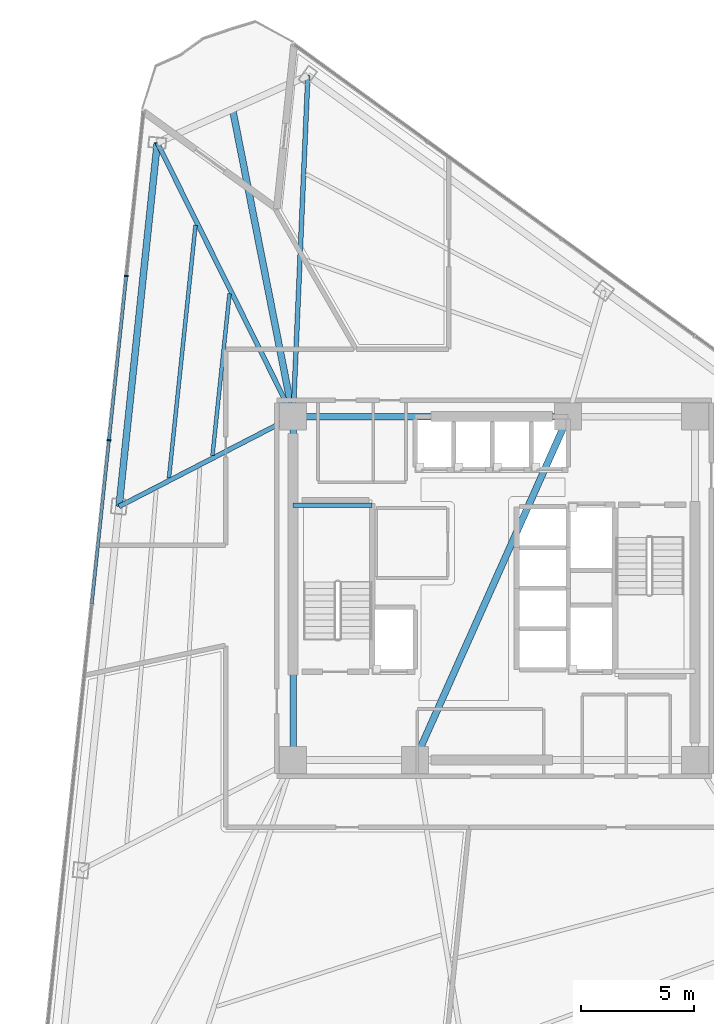
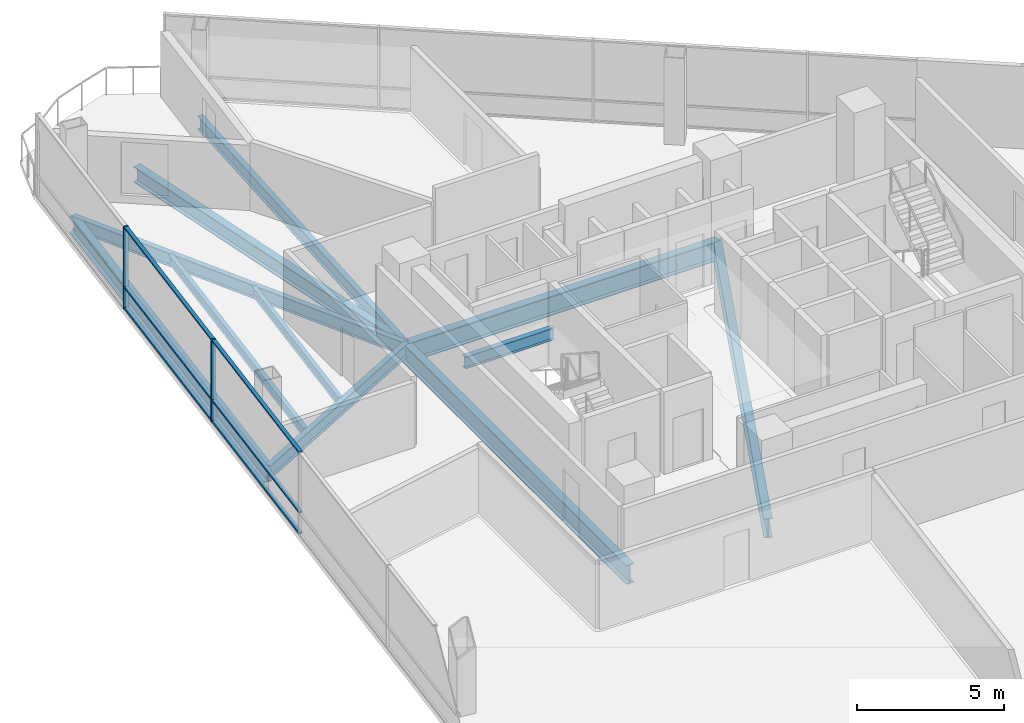
# One storey, part 7 of 16: 11 beams, 8 members, 1 element without a shape of its own.
"""IFC4 building model written with IfcOpenShell, lengths in metres."""

import ifcopenshell
import ifcopenshell.guid

model = None  # the IFC model being written
_history = None  # IfcOwnerHistory: only IFC2X3 demands one
_inside = {}  # id of a spatial element -> (the spatial element, [elements in it])
_under = {}  # id of a project, library or spatial element -> (it, [spatial elements below it])
_declared = {}  # id of a project -> (the project, [libraries it declares])
_typed = {}  # id of a type object -> (the type object, [elements of that type])
_made_of = {}  # id of a material, layer set ... -> (it, [elements and type objects made of it])


def new_model(schema):
    """Start an empty IFC model of exactly this schema.

    Asked for "IFC4X3", IfcOpenShell would pick the latest addendum, in which some entities
    have other attributes; the version numbers below select the first issue.
    IFC2X3 requires an IfcOwnerHistory on every rooted entity: one is made here for all.
    """
    global model, _history
    if schema == "IFC4X3":
        model = ifcopenshell.file(schema_version=(4, 3, 0, 0))
    else:
        model = ifcopenshell.file(schema=schema)
    _inside.clear()
    _under.clear()
    _declared.clear()
    _typed.clear()
    _made_of.clear()
    _history = None
    if model.schema == "IFC2X3":
        org = make("IfcOrganization", Name="unknown")
        user = make(
            "IfcPersonAndOrganization",
            ThePerson=make("IfcPerson", FamilyName="unknown"),
            TheOrganization=org,
        )
        app = make(
            "IfcApplication",
            ApplicationDeveloper=org,
            Version="unknown",
            ApplicationFullName="unknown",
            ApplicationIdentifier="unknown",
        )
        _history = make(
            "IfcOwnerHistory",
            OwningUser=user,
            OwningApplication=app,
            ChangeAction="ADDED",
            CreationDate=0,
        )
    return model


def make(cls, **values):
    """One entity of the class cls with the attributes given. An attribute that is None is left unset."""
    return model.create_entity(
        cls, **{name: value for name, value in values.items() if value is not None}
    )


def rooted(cls, **values):
    """An entity with a GlobalId (a new one), such as an element, a storey or a relation."""
    return make(cls, GlobalId=ifcopenshell.guid.new(), OwnerHistory=_history, **values)


def si_unit(unit_type, name, prefix=None):
    """IfcSIUnit, for example si_unit("LENGTHUNIT", "METRE", prefix="MILLI")."""
    return make("IfcSIUnit", UnitType=unit_type, Prefix=prefix, Name=name)


def assignment(units):
    """IfcUnitAssignment: the units of a project."""
    return None if units is None else make("IfcUnitAssignment", Units=units)


def point(xyz):
    """IfcCartesianPoint."""
    return None if xyz is None else make("IfcCartesianPoint", Coordinates=xyz)


def direction(xyz):
    """IfcDirection."""
    return None if xyz is None else make("IfcDirection", DirectionRatios=xyz)


def frame(location, z_axis=None, x_axis=None):
    """IfcAxis2Placement3D, a coordinate frame: its origin and axes. An axis left out is left unset."""
    return make(
        "IfcAxis2Placement3D",
        Location=point(location),
        Axis=direction(z_axis),
        RefDirection=direction(x_axis),
    )


def frame_2d(location, x_axis=None):
    """IfcAxis2Placement2D, a coordinate frame in the plane: its origin and x axis."""
    return make(
        "IfcAxis2Placement2D", Location=point(location), RefDirection=direction(x_axis)
    )


def origin():
    """The frame at (0, 0, 0) with its axes left unset."""
    return frame((0.0, 0.0, 0.0))


def origin_2d():
    """The frame at (0, 0) in the plane with its x axis left unset."""
    return frame_2d((0.0, 0.0))


def place(relative_to, where):
    """IfcLocalPlacement: puts the frame where relative to a parent placement (None: the world)."""
    return make(
        "IfcLocalPlacement", PlacementRelTo=relative_to, RelativePlacement=where
    )


def context(
    kind, dimensions, precision=None, world=None, true_north=None, identifier=None
):
    """IfcGeometricRepresentationContext, for example the 3D "Model" context."""
    return make(
        "IfcGeometricRepresentationContext",
        ContextIdentifier=identifier,
        ContextType=kind,
        CoordinateSpaceDimension=dimensions,
        Precision=precision,
        WorldCoordinateSystem=world,
        TrueNorth=true_north,
    )


def subcontext(parent, identifier, kind, view, scale=None):
    """IfcGeometricRepresentationSubContext, for example "Body" below "Model"."""
    return make(
        "IfcGeometricRepresentationSubContext",
        ContextIdentifier=identifier,
        ContextType=kind,
        ParentContext=parent,
        TargetScale=scale,
        TargetView=view,
    )


def project(units=None, contexts=None):
    """IfcProject with its units and contexts."""
    return rooted(
        "IfcProject",
        Name="project",
        RepresentationContexts=contexts,
        UnitsInContext=assignment(units),
    )


def spatial(cls, under=None, at=None, **own):
    """A site, building, storey or space (cls), placed at a placement, below another one or the project."""
    s = rooted(cls, ObjectPlacement=at, **own)
    if under is not None:
        _under.setdefault(under.id(), (under, []))[1].append(s)
    return s


def profile(cls, at=None, kind="AREA", **sizes):
    """A parametric profile (cls). Its sizes go by their IFC names, for example OverallWidth=200.0."""
    return make(cls, ProfileType=kind, Position=at, **sizes)


def rectangle(**sizes):
    """IfcRectangleProfileDef."""
    return profile("IfcRectangleProfileDef", **sizes)


def i_section(**sizes):
    """IfcIShapeProfileDef."""
    return profile("IfcIShapeProfileDef", **sizes)


def extrude(swept, where, along, depth):
    """IfcExtrudedAreaSolid: the profile swept, set in the frame where, extruded along a direction by depth."""
    return make(
        "IfcExtrudedAreaSolid",
        SweptArea=swept,
        Position=where,
        ExtrudedDirection=direction(along),
        Depth=depth,
    )


def shape(context_of_items, identifier, shape_type, items):
    """IfcShapeRepresentation: the items that make up one representation, for example the "Body"."""
    return make(
        "IfcShapeRepresentation",
        ContextOfItems=context_of_items,
        RepresentationIdentifier=identifier,
        RepresentationType=shape_type,
        Items=items,
    )


def material(Name=None, Category=None):
    """IfcMaterial."""
    return make("IfcMaterial", Name=Name, Category=Category)


def layer(
    of_material, thickness, ventilated=None, Name=None, Category=None, Priority=None
):
    """IfcMaterialLayer: one layer of a wall or slab, of a material (None: an air gap)."""
    return make(
        "IfcMaterialLayer",
        Material=of_material,
        LayerThickness=thickness,
        IsVentilated=ventilated,
        Name=Name,
        Category=Category,
        Priority=Priority,
    )


def layer_set(layers, Name=None):
    """IfcMaterialLayerSet."""
    return make("IfcMaterialLayerSet", MaterialLayers=layers, LayerSetName=Name)


def material_profile(
    of_material, cross_section, Name=None, Category=None, Priority=None
):
    """IfcMaterialProfile: a cross section and its material."""
    return make(
        "IfcMaterialProfile",
        Name=Name,
        Material=of_material,
        Profile=cross_section,
        Priority=Priority,
        Category=Category,
    )


def profile_set(profiles, Name=None, composite=None):
    """IfcMaterialProfileSet."""
    return make(
        "IfcMaterialProfileSet",
        Name=Name,
        MaterialProfiles=profiles,
        CompositeProfile=composite,
    )


def made_of(thing, what):
    """Note that an element or type object is made of a material, layer set ...; save() writes the relation."""
    if what is not None:
        _made_of.setdefault(what.id(), (what, []))[1].append(thing)
    return thing


def type_object(cls, material=None, **own):
    """A type object (cls), such as IfcWallType, which elements share."""
    return made_of(rooted(cls, **own), material)


def element(
    cls,
    number,
    at=None,
    inside=None,
    cuts=None,
    type_object=None,
    material=None,
    context=None,
    identifier="Body",
    shape_type=None,
    held_by="IfcProductDefinitionShape",
    body=None,
    shapes=None,
    **own,
):
    """One element of the class cls, such as IfcWall. Its Tag is "e" and its number.

    at: its placement. inside: the storey or other place that contains it. cuts: it is an
    opening in that element (IfcRelVoidsElement). A single representation is given by context,
    identifier, shape_type and body (its items); several are given by shapes. held_by: the class
    of the entity that holds the representations. save() writes the other relations.
    """
    e = rooted(cls, Tag="e%d" % number, ObjectPlacement=at, **own)
    if body is not None:
        shapes = [shape(context, identifier, shape_type, body)]
    if shapes is not None:
        e.Representation = make(held_by, Representations=shapes)
    if inside is not None:
        _inside.setdefault(inside.id(), (inside, []))[1].append(e)
    if cuts is not None:
        rooted(
            "IfcRelVoidsElement", RelatingBuildingElement=cuts, RelatedOpeningElement=e
        )
    if type_object is not None:
        _typed.setdefault(type_object.id(), (type_object, []))[1].append(e)
    return made_of(e, material)


def aggregate(whole, parts):
    """IfcRelAggregates: a whole, such as a stair, and the parts it consists of."""
    return rooted("IfcRelAggregates", RelatingObject=whole, RelatedObjects=parts)


def save(model, path):
    """Write the relations noted so far, then the file.

    IfcRelAggregates (storeys below a building ...), IfcRelContainedInSpatialStructure (elements
    in a storey), IfcRelDefinesByType, IfcRelAssociatesMaterial and IfcRelDeclares: one each for
    every whole, place, type object, material and project.
    """
    for whole, parts in _under.values():
        aggregate(whole, parts)
    for where, things in _inside.values():
        rooted(
            "IfcRelContainedInSpatialStructure",
            RelatedElements=things,
            RelatingStructure=where,
        )
    for kind, things in _typed.values():
        rooted("IfcRelDefinesByType", RelatedObjects=things, RelatingType=kind)
    for what, things in _made_of.values():
        rooted("IfcRelAssociatesMaterial", RelatedObjects=things, RelatingMaterial=what)
    for by, libraries in _declared.values():
        rooted("IfcRelDeclares", RelatingContext=by, RelatedDefinitions=libraries)
    model.write(path)


model = new_model("IFC4")

# Units and contexts
model_context = context("Model", 3, precision=1e-05, world=origin(), true_north=direction((0.0, 1.0)))
body_context = subcontext(model_context, "Body", "Model", "MODEL_VIEW")
ifc_project = project(units=[si_unit("LENGTHUNIT", "METRE"), si_unit("AREAUNIT", "SQUARE_METRE"), si_unit("VOLUMEUNIT", "CUBIC_METRE"), si_unit("PLANEANGLEUNIT", "RADIAN"), si_unit("MASSUNIT", "GRAM", prefix="KILO")], contexts=[model_context])

# Site, building, storey
site_placement = place(None, origin())
site = spatial("IfcSite", under=ifc_project, at=site_placement, CompositionType="ELEMENT")
building_placement = place(site_placement, origin())
building = spatial("IfcBuilding", under=site, at=building_placement, Name="Tharavind Bronze Gate", CompositionType="ELEMENT")
storey_placement = place(building_placement, frame((0.0, 0.0, 130.449951171875)))
storey = spatial("IfcBuildingStorey", under=building, at=storey_placement, Name="L33", CompositionType="ELEMENT", Elevation=130.449951171875)

# Curtain wall, members
ifc_material_1 = material(Name="Anodised Bronze Aluminium", Category="aluminium")
ifc_layer = layer(ifc_material_1, 0.219970703125)
ifc_layer_set = layer_set([ifc_layer], Name="Anodised Bronze Aluminium")
curtain_wall_type = type_object("IfcCurtainWallType", Name="UNITISED CURTAIN WALL LOWER OFFICE", PredefinedType="USERDEFINED", material=ifc_layer_set)
curtain_wall_placement = place(storey_placement, origin())
curtain_wall = element("IfcCurtainWall", 1, at=curtain_wall_placement, inside=storey, type_object=curtain_wall_type, Name="L33 unitised curtain wall lower office CW-L33-S1", ObjectType="UNITISED CURTAIN WALL", PredefinedType="USERDEFINED")
member_type_1 = type_object("IfcMemberType", Name="CURTAIN WALL BRONZE MULLION 65X180", PredefinedType="MULLION", material=ifc_material_1)
member_1_placement = place(storey_placement, frame((-16.2919921875, 13.828369140625, 0.0), z_axis=(0.0, 0.0, 1.0), x_axis=(-0.104526727499, -0.994522077803, 0.0)))
member_1 = element("IfcMember", 2, at=member_1_placement, type_object=member_type_1, Name="CW-L33-S1 mullion 2", PredefinedType="MULLION", context=body_context, shape_type="SweptSolid", body=[
    extrude(rectangle(XDim=0.06494140625, YDim=0.179931640625, at=origin_2d()), origin(), (0.0, 0.0, 1.0), 3.409912109375),
])
member_2_placement = place(storey_placement, frame((-17.056396484375, 6.55517578125, 0.0), z_axis=(0.0, 0.0, 1.0), x_axis=(-0.104526727499, -0.994522077803, 0.0)))
member_2 = element("IfcMember", 3, at=member_2_placement, type_object=member_type_1, Name="CW-L33-S1 mullion 3", PredefinedType="MULLION", context=body_context, shape_type="SweptSolid", body=[
    extrude(rectangle(XDim=0.06494140625, YDim=0.179931640625, at=origin_2d()), origin(), (0.0, 0.0, 1.0), 3.409912109375),
])
member_type_2 = type_object("IfcMemberType", Name="CURTAIN WALL BRONZE TRANSOM 65X140", PredefinedType="USERDEFINED", material=ifc_material_1)
member_3_placement = place(storey_placement, frame((-16.67431640625, 10.19189453125, 0.0), z_axis=(0.0, 0.0, 1.0), x_axis=(-0.104526727499, -0.994522077803, 0.0)))
member_3 = element("IfcMember", 4, at=member_3_placement, type_object=member_type_2, Name="CW-L33-S1 transom TB2", ObjectType="TRANSOM", PredefinedType="USERDEFINED", context=body_context, shape_type="SweptSolid", body=[
    extrude(rectangle(XDim=7.26025390625, YDim=0.139892578125, at=origin_2d()), origin(), (0.0, 0.0, 1.0), 0.06494140625),
])
member_4_placement = place(storey_placement, frame((-16.67431640625, 10.19189453125, 0.86767578125), z_axis=(0.0, 0.0, 1.0), x_axis=(-0.104526727499, -0.994522077803, 0.0)))
member_4 = element("IfcMember", 5, at=member_4_placement, type_object=member_type_2, Name="CW-L33-S1 transom TS2", ObjectType="TRANSOM", PredefinedType="USERDEFINED", context=body_context, shape_type="SweptSolid", body=[
    extrude(rectangle(XDim=7.26025390625, YDim=0.139892578125, at=origin_2d()), origin(), (0.0, 0.0, 1.0), 0.06494140625),
])
member_5_placement = place(storey_placement, frame((-16.67431640625, 10.19189453125, 3.344970703125), z_axis=(0.0, 0.0, 1.0), x_axis=(-0.104526727499, -0.994522077803, 0.0)))
member_5 = element("IfcMember", 6, at=member_5_placement, type_object=member_type_2, Name="CW-L33-S1 transom TT2", ObjectType="TRANSOM", PredefinedType="USERDEFINED", context=body_context, shape_type="SweptSolid", body=[
    extrude(rectangle(XDim=7.26025390625, YDim=0.139892578125, at=origin_2d()), origin(), (0.0, 0.0, 1.0), 0.06494140625),
])
member_6_placement = place(storey_placement, frame((-17.438720703125, 2.91845703125, 0.0), z_axis=(0.0, 0.0, 1.0), x_axis=(-0.104526727499, -0.994522077803, 0.0)))
member_6 = element("IfcMember", 7, at=member_6_placement, type_object=member_type_2, Name="CW-L33-S1 transom TB3", ObjectType="TRANSOM", PredefinedType="USERDEFINED", context=body_context, shape_type="SweptSolid", body=[
    extrude(rectangle(XDim=7.26025390625, YDim=0.139892578125, at=origin_2d()), origin(), (0.0, 0.0, 1.0), 0.06494140625),
])
member_7_placement = place(storey_placement, frame((-17.438720703125, 2.91845703125, 0.86767578125), z_axis=(0.0, 0.0, 1.0), x_axis=(-0.104526727499, -0.994522077803, 0.0)))
member_7 = element("IfcMember", 8, at=member_7_placement, type_object=member_type_2, Name="CW-L33-S1 transom TS3", ObjectType="TRANSOM", PredefinedType="USERDEFINED", context=body_context, shape_type="SweptSolid", body=[
    extrude(rectangle(XDim=7.26025390625, YDim=0.139892578125, at=origin_2d()), origin(), (0.0, 0.0, 1.0), 0.06494140625),
])
member_8_placement = place(storey_placement, frame((-17.438720703125, 2.91845703125, 3.344970703125), z_axis=(0.0, 0.0, 1.0), x_axis=(-0.104526727499, -0.994522077803, 0.0)))
member_8 = element("IfcMember", 9, at=member_8_placement, type_object=member_type_2, Name="CW-L33-S1 transom TT3", ObjectType="TRANSOM", PredefinedType="USERDEFINED", context=body_context, shape_type="SweptSolid", body=[
    extrude(rectangle(XDim=7.26025390625, YDim=0.139892578125, at=origin_2d()), origin(), (0.0, 0.0, 1.0), 0.06494140625),
])
aggregate(curtain_wall, [member_1, member_2, member_3, member_4, member_5, member_6, member_7, member_8])

# Beams
ifc_material_2 = material(Name="Steel S355", Category="steel")
ifc_material_profile_1 = material_profile(ifc_material_2, i_section(OverallWidth=0.300048828125, OverallDepth=0.64990234375, WebThickness=0.01611328125, FlangeThickness=0.031005859375, at=origin_2d()), Name="HE650B")
ifc_profile_set_1 = profile_set([ifc_material_profile_1], Name="Steel S355")
beam_type_1 = type_object("IfcBeamType", Name="PRIMARY GIRDER HE650B", PredefinedType="USERDEFINED", material=ifc_profile_set_1)
beam_1_placement = place(storey_placement, frame((-8.89990234375, 7.60009765625, -0.514892578125), z_axis=(-0.193337817279, 0.981132248176, 0.0), x_axis=(-0.981132248176, -0.193337817279, 0.0)))
element("IfcBeam", 10, at=beam_1_placement, inside=storey, type_object=beam_type_1, Name="L33 primary girder he650b BM-L33-BLCSB", ObjectType="GIRDER", PredefinedType="USERDEFINED", context=body_context, shape_type="SweptSolid", body=[
    extrude(i_section(OverallWidth=0.300048828125, OverallDepth=0.64990234375, WebThickness=0.01611328125, FlangeThickness=0.031005859375, at=origin_2d()), origin(), (0.0, 0.0, 1.0), 13.8779296875),
])
ifc_material_profile_2 = material_profile(ifc_material_2, i_section(OverallWidth=0.199951171875, OverallDepth=0.5, WebThickness=0.01025390625, FlangeThickness=0.01611328125, at=origin_2d()), Name="IPE500")
ifc_profile_set_2 = profile_set([ifc_material_profile_2], Name="Steel S355")
beam_type_2 = type_object("IfcBeamType", Name="PRIMARY GIRDER IPE500", PredefinedType="USERDEFINED", material=ifc_profile_set_2)
beam_2_placement = place(storey_placement, frame((-8.89990234375, 3.679931640625, 1.35009765625), z_axis=(1.0, 0.0, 0.0), x_axis=(0.0, 1.0, 0.0)))
element("IfcBeam", 11, at=beam_2_placement, inside=storey, type_object=beam_type_2, Name="L33 primary girder ipe500 BM-LD-ST1-L33-1", ObjectType="GIRDER", PredefinedType="USERDEFINED", context=body_context, shape_type="SweptSolid", body=[
    extrude(i_section(OverallWidth=0.199951171875, OverallDepth=0.5, WebThickness=0.01025390625, FlangeThickness=0.01611328125, at=origin_2d()), origin(), (0.0, 0.0, 1.0), 3.5),
])
ifc_material_profile_3 = material_profile(ifc_material_2, i_section(OverallWidth=0.2099609375, OverallDepth=0.550048828125, WebThickness=0.010986328125, FlangeThickness=0.01708984375, at=origin_2d()), Name="IPE550")
ifc_profile_set_3 = profile_set([ifc_material_profile_3], Name="Steel S355")
beam_type_3 = type_object("IfcBeamType", Name="PRIMARY GIRDER IPE550", PredefinedType="USERDEFINED", material=ifc_profile_set_3)
beam_3_placement = place(storey_placement, frame((-14.91748046875, 19.7314453125, -0.46484375), z_axis=(0.444370024662, -0.895843335177, 0.0), x_axis=(0.895843335177, 0.444370024662, 0.0)))
element("IfcBeam", 12, at=beam_3_placement, inside=storey, type_object=beam_type_3, Name="L33 primary girder ipe550 BM-L33-RAD01", ObjectType="GIRDER", PredefinedType="USERDEFINED", context=body_context, shape_type="SweptSolid", body=[
    extrude(i_section(OverallWidth=0.2099609375, OverallDepth=0.550048828125, WebThickness=0.010986328125, FlangeThickness=0.01708984375, at=origin_2d()), origin(), (0.0, 0.0, 1.0), 13.541748046875),
])
beam_4_placement = place(storey_placement, frame((-16.610595703125, 3.62158203125, -0.46484375), z_axis=(0.888676879782, 0.45853397185, 0.0), x_axis=(-0.45853397185, 0.888676879782, 0.0)))
element("IfcBeam", 13, at=beam_4_placement, inside=storey, type_object=beam_type_3, Name="L33 primary girder ipe550 BM-L33-RAD02", ObjectType="GIRDER", PredefinedType="USERDEFINED", context=body_context, shape_type="SweptSolid", body=[
    extrude(i_section(OverallWidth=0.2099609375, OverallDepth=0.550048828125, WebThickness=0.010986328125, FlangeThickness=0.01708984375, at=origin_2d()), origin(), (0.0, 0.0, 1.0), 8.676513671875),
])
beam_5_placement = place(storey_placement, frame((-8.24853515625, 22.70068359375, -0.46484375), z_axis=(-0.043095152207, -0.999070972382, 0.0), x_axis=(0.999070972382, -0.043095152207, 0.0)))
element("IfcBeam", 14, at=beam_5_placement, inside=storey, type_object=beam_type_3, Name="L33 primary girder ipe550 BM-L33-RAD12", ObjectType="GIRDER", PredefinedType="USERDEFINED", context=body_context, shape_type="SweptSolid", body=[
    extrude(i_section(OverallWidth=0.2099609375, OverallDepth=0.550048828125, WebThickness=0.010986328125, FlangeThickness=0.01708984375, at=origin_2d()), origin(), (0.0, 0.0, 1.0), 15.11474609375),
])
ifc_material_profile_4 = material_profile(ifc_material_2, i_section(OverallWidth=0.300048828125, OverallDepth=0.699951171875, WebThickness=0.01708984375, FlangeThickness=0.031982421875, at=origin_2d()), Name="HE700B")
ifc_profile_set_4 = profile_set([ifc_material_profile_4], Name="Steel S355")
beam_type_4 = type_object("IfcBeamType", Name="RING GIRDER HE700B", PredefinedType="USERDEFINED", material=ifc_profile_set_4)
beam_6_placement = place(storey_placement, frame((-14.91748046875, 19.7314453125, -0.5400390625), z_axis=(-0.104522380175, -0.994522534708, 0.0), x_axis=(0.994522534708, -0.104522380175, 0.0)))
element("IfcBeam", 15, at=beam_6_placement, inside=storey, type_object=beam_type_4, Name="L33 ring girder he700b BM-L33-PRG01", ObjectType="GIRDER", PredefinedType="USERDEFINED", context=body_context, shape_type="SweptSolid", body=[
    extrude(i_section(OverallWidth=0.300048828125, OverallDepth=0.699951171875, WebThickness=0.01708984375, FlangeThickness=0.031982421875, at=origin_2d()), origin(), (0.0, 0.0, 1.0), 16.198486328125),
])
ifc_material_profile_5 = material_profile(ifc_material_2, i_section(OverallWidth=0.300048828125, OverallDepth=0.800048828125, WebThickness=0.017578125, FlangeThickness=0.032958984375, at=origin_2d()), Name="HE800B")
ifc_profile_set_5 = profile_set([ifc_material_profile_5], Name="Steel S355")
beam_type_5 = type_object("IfcBeamType", Name="RING GIRDER HE800B", PredefinedType="USERDEFINED", material=ifc_profile_set_5)
beam_7_placement = place(storey_placement, frame((3.280029296875, 7.60009765625, -0.58984375), z_axis=(-1.0, 0.0, 0.0), x_axis=(0.0, -1.0, 0.0)))
element("IfcBeam", 16, at=beam_7_placement, inside=storey, type_object=beam_type_5, Name="L33 ring girder he800b BM-L33-CR5", ObjectType="GIRDER", PredefinedType="USERDEFINED", context=body_context, shape_type="SweptSolid", body=[
    extrude(i_section(OverallWidth=0.300048828125, OverallDepth=0.800048828125, WebThickness=0.017578125, FlangeThickness=0.032958984375, at=origin_2d()), origin(), (0.0, 0.0, 1.0), 12.179931640625),
])
beam_8_placement = place(storey_placement, frame((-8.89990234375, 7.60009765625, -0.58984375), z_axis=(0.0, -1.0, 0.0), x_axis=(1.0, 0.0, 0.0)))
element("IfcBeam", 17, at=beam_8_placement, inside=storey, type_object=beam_type_5, Name="L33 ring girder he800b BM-L33-CR6", ObjectType="GIRDER", PredefinedType="USERDEFINED", context=body_context, shape_type="SweptSolid", body=[
    extrude(i_section(OverallWidth=0.300048828125, OverallDepth=0.800048828125, WebThickness=0.017578125, FlangeThickness=0.032958984375, at=origin_2d()), origin(), (0.0, 0.0, 1.0), 15.2001953125),
])
beam_9_placement = place(storey_placement, frame((-3.5, -7.60009765625, -0.58984375), z_axis=(0.407361644566, 0.913266932795, 0.0), x_axis=(-0.913266932795, 0.407361644566, 0.0)))
element("IfcBeam", 18, at=beam_9_placement, inside=storey, type_object=beam_type_5, Name="L33 ring girder he800b BM-L33-CR7", ObjectType="GIRDER", PredefinedType="USERDEFINED", context=body_context, shape_type="SweptSolid", body=[
    extrude(i_section(OverallWidth=0.300048828125, OverallDepth=0.800048828125, WebThickness=0.017578125, FlangeThickness=0.032958984375, at=origin_2d()), origin(), (0.0, 0.0, 1.0), 16.643798828125),
])
ifc_material_profile_6 = material_profile(ifc_material_2, i_section(OverallWidth=0.169921875, OverallDepth=0.360107421875, WebThickness=0.008056640625, FlangeThickness=0.0126953125, at=origin_2d()), Name="IPE360")
ifc_profile_set_6 = profile_set([ifc_material_profile_6], Name="Steel S355")
beam_type_6 = type_object("IfcBeamType", Name="SECONDARY FLOOR JOIST IPE360", PredefinedType="JOIST", material=ifc_profile_set_6)
beam_10_placement = place(storey_placement, frame((-11.718994140625, 13.0419921875, -0.369873046875), z_axis=(-0.104536567764, -0.994521043518, 0.0), x_axis=(0.994521043518, -0.104536567764, 0.0)))
element("IfcBeam", 19, at=beam_10_placement, inside=storey, type_object=beam_type_6, Name="L33 secondary floor joist ipe360 BM-L33-JSTA01", PredefinedType="JOIST", context=body_context, shape_type="SweptSolid", body=[
    extrude(i_section(OverallWidth=0.169921875, OverallDepth=0.360107421875, WebThickness=0.008056640625, FlangeThickness=0.0126953125, at=origin_2d()), origin(), (0.0, 0.0, 1.0), 7.20263671875),
])
beam_11_placement = place(storey_placement, frame((-13.223388671875, 16.074951171875, -0.369873046875), z_axis=(-0.104516494227, -0.994523153292, 0.0), x_axis=(0.994523153292, -0.104516494227, 0.0)))
element("IfcBeam", 20, at=beam_11_placement, inside=storey, type_object=beam_type_6, Name="L33 secondary floor joist ipe360 BM-L33-JSTB01", PredefinedType="JOIST", context=body_context, shape_type="SweptSolid", body=[
    extrude(i_section(OverallWidth=0.169921875, OverallDepth=0.360107421875, WebThickness=0.008056640625, FlangeThickness=0.0126953125, at=origin_2d()), origin(), (0.0, 0.0, 1.0), 11.251953125),
])

save(model, "model.ifc")
